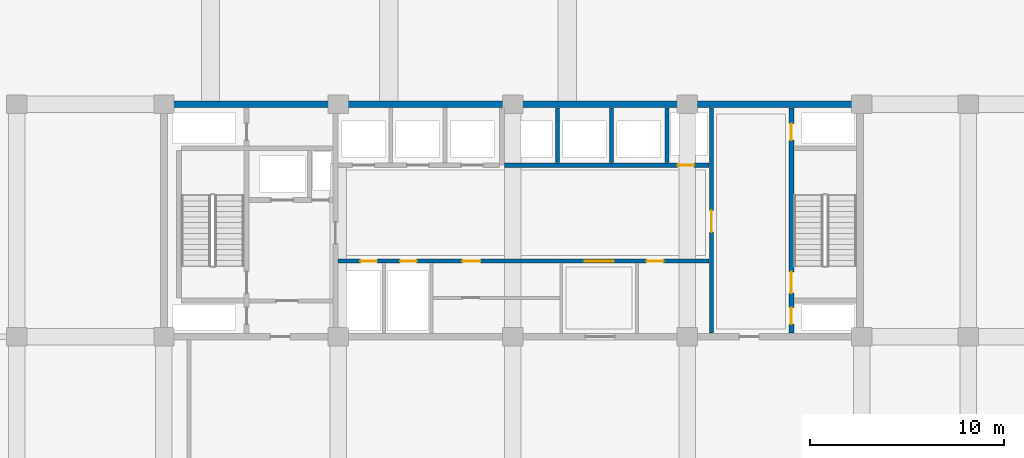
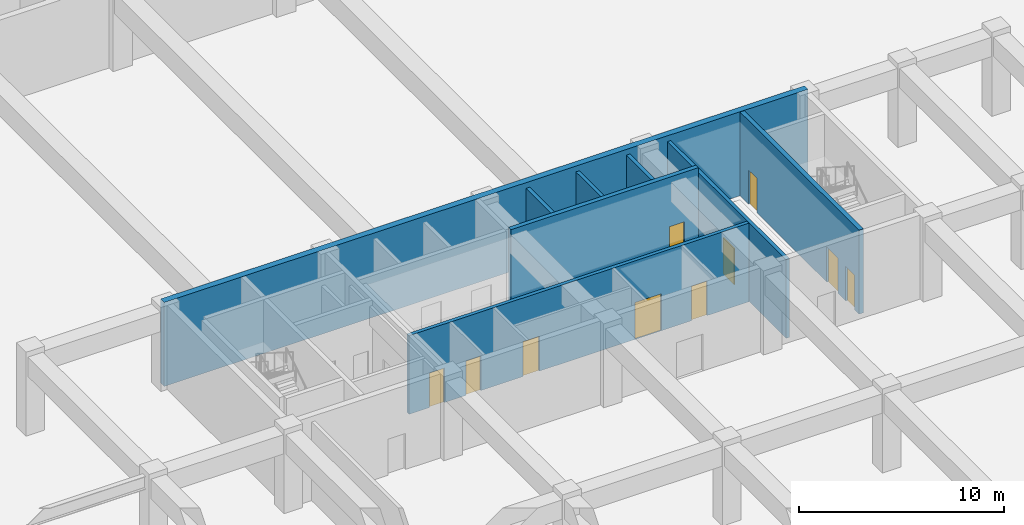
# One storey, part 25 of 38: 10 doors, 8 walls, 10 openings.
"""IFC4 building model written with IfcOpenShell, lengths in metres."""

from ifc_helpers import new_model, si_unit, direction, frame, frame_2d, origin, place, context, subcontext, project, spatial, rectangle, extrude, material, layer, layer_set, type_object, element, fill, save


model = new_model("IFC4")

# Units and contexts
model_context = context("Model", 3, precision=1e-05, world=origin(), true_north=direction((0.0, 1.0)))
body_context = subcontext(model_context, "Body", "Model", "MODEL_VIEW")
ifc_project = project(units=[si_unit("LENGTHUNIT", "METRE"), si_unit("AREAUNIT", "SQUARE_METRE"), si_unit("VOLUMEUNIT", "CUBIC_METRE"), si_unit("PLANEANGLEUNIT", "RADIAN"), si_unit("MASSUNIT", "GRAM", prefix="KILO")], contexts=[model_context])

# Site, building, storey
site_placement = place(None, origin())
site = spatial("IfcSite", under=ifc_project, at=site_placement, CompositionType="ELEMENT")
building_placement = place(site_placement, origin())
building = spatial("IfcBuilding", under=site, at=building_placement, Name="Korimba Cascade Residences", CompositionType="ELEMENT")
storey_placement = place(building_placement, frame((0.0, 0.0, 19.0)))
storey = spatial("IfcBuildingStorey", under=building, at=storey_placement, Name="L04", CompositionType="ELEMENT", Elevation=19.0)

# Walls
ifc_material_1 = material(Name="Concrete C65/80", Category="concrete")
ifc_layer_1 = layer(ifc_material_1, 0.35009765625)
ifc_layer_set_1 = layer_set([ifc_layer_1], Name="Concrete C65/80")
wall_type_1 = type_object("IfcWallType", Name="WAL-CORE-350", PredefinedType="SHEAR", material=ifc_layer_set_1)
wall_1_placement = place(storey_placement, frame((81.925048828125, 30.39990234375, 0.0), z_axis=(0.0, 0.0, 1.0), x_axis=(1.0, 0.0, 0.0)))
element("IfcWall", 1, at=wall_1_placement, inside=storey, type_object=wall_type_1, Name="L04 Core Shear Wall CW-L04-T2-N", PredefinedType="SHEAR", context=body_context, shape_type="SweptSolid", body=[
    extrude(rectangle(XDim=36.264892578125, YDim=0.35009765625, at=frame_2d((18.13232421875, 0.0))), origin(), (0.0, 0.0, 1.0), 5.0),
])
ifc_material_2 = material(Name="Concrete C40/50", Category="concrete")
ifc_layer_2 = layer(ifc_material_2, 0.199951171875)
ifc_layer_set_2 = layer_set([ifc_layer_2], Name="Concrete C40/50")
wall_type_2 = type_object("IfcWallType", Name="WAL-PART-200", PredefinedType="PARTITIONING", material=ifc_layer_set_2)
for number, where, z_axis, x_axis, name in (
    (2, (102.39990234375, 27.3798828125, 0.0), (0.0, 0.0, 1.0), (0.0, 1.0, 0.0), "L04 Partition Wall CW-L04-T2-B2D1"),
    (3, (105.199951171875, 27.3798828125, 0.0), (0.0, 0.0, 1.0), (0.0, 1.0, 0.0), "L04 Partition Wall CW-L04-T2-B2D2"),
    (4, (108.050048828125, 27.3798828125, 0.0), (0.0, 0.0, 1.0), (0.0, 1.0, 0.0), "L04 Partition Wall CW-L04-T2-B2D3"),
):
    element("IfcWall", number, at=place(storey_placement, frame(where, z_axis=z_axis, x_axis=x_axis)), inside=storey, type_object=wall_type_2, Name=name, PredefinedType="PARTITIONING", context=body_context, shape_type="SweptSolid", body=[
        extrude(rectangle(XDim=2.820068359375, YDim=0.199951171875, at=frame_2d((1.41015625, 0.0))), origin(), (0.0, 0.0, 1.0), 4.679931640625),
    ])

# Wall, openings, doors
wall_2_placement = place(storey_placement, frame((91.080078125, 22.300048828125, 0.0), z_axis=(0.0, 0.0, 1.0), x_axis=(1.0, 0.0, 0.0)))
wall_2 = element("IfcWall", 5, at=wall_2_placement, inside=storey, type_object=wall_type_2, Name="L04 Partition Wall CW-L04-T2-SRVROW", PredefinedType="PARTITIONING", context=body_context, shape_type="SweptSolid", body=[
    extrude(rectangle(XDim=19.139892578125, YDim=0.199951171875, at=frame_2d((9.56982421875, 0.0))), origin(), (0.0, 0.0, 1.0), 4.679931640625),
])
opening_1_placement = place(wall_2_placement, frame((1.14990234375, 0.0, 0.0)))
opening_1 = element("IfcOpeningElement", 6, at=opening_1_placement, cuts=wall_2, Name="Opening D-RS1", PredefinedType="OPENING", context=body_context, shape_type="SweptSolid", body=[
    extrude(rectangle(XDim=0.85009765625, YDim=2.050048828125, at=frame_2d((0.425048828125, 1.02490234375))), frame((0.0, 0.10986328125, 0.0), z_axis=(0.0, -1.0, 0.0), x_axis=(1.0, 0.0, 0.0)), (0.0, 0.0, 1.0), 0.219970703125),
])
opening_2_placement = place(wall_2_placement, frame((3.199951171875, 0.0, 0.0)))
opening_2 = element("IfcOpeningElement", 7, at=opening_2_placement, cuts=wall_2, Name="Opening D-RS1", PredefinedType="OPENING", context=body_context, shape_type="SweptSolid", body=[
    extrude(rectangle(XDim=0.85009765625, YDim=2.050048828125, at=frame_2d((0.425048828125, 1.02490234375))), frame((0.0, 0.10986328125, 0.0), z_axis=(0.0, -1.0, 0.0), x_axis=(1.0, 0.0, 0.0)), (0.0, 0.0, 1.0), 0.219970703125),
])
opening_3_placement = place(wall_2_placement, frame((12.719970703125, 0.0, 0.0)))
opening_3 = element("IfcOpeningElement", 8, at=opening_3_placement, cuts=wall_2, Name="Opening D-FD8", PredefinedType="OPENING", context=body_context, shape_type="SweptSolid", body=[
    extrude(rectangle(XDim=1.5, YDim=2.199951171875, at=frame_2d((0.75, 1.10009765625))), frame((0.0, 0.10986328125, 0.0), z_axis=(0.0, -1.0, 0.0), x_axis=(1.0, 0.0, 0.0)), (0.0, 0.0, 1.0), 0.219970703125),
])
opening_4_placement = place(wall_2_placement, frame((6.419921875, 0.0, 0.0)))
opening_4 = element("IfcOpeningElement", 9, at=opening_4_placement, cuts=wall_2, Name="Opening D-IN1", PredefinedType="OPENING", context=body_context, shape_type="SweptSolid", body=[
    extrude(rectangle(XDim=0.919921875, YDim=2.080078125, at=frame_2d((0.4599609375, 1.0400390625))), frame((0.0, 0.10986328125, 0.0), z_axis=(0.0, -1.0, 0.0), x_axis=(1.0, 0.0, 0.0)), (0.0, 0.0, 1.0), 0.219970703125),
])
opening_5_placement = place(wall_2_placement, frame((15.919921875, 0.0, 0.0)))
opening_5 = element("IfcOpeningElement", 10, at=opening_5_placement, cuts=wall_2, Name="Opening D-IN2", PredefinedType="OPENING", context=body_context, shape_type="SweptSolid", body=[
    extrude(rectangle(XDim=0.8798828125, YDim=2.06005859375, at=frame_2d((0.43994140625, 1.030029296875))), frame((0.0, 0.10986328125, 0.0), z_axis=(0.0, -1.0, 0.0), x_axis=(1.0, 0.0, 0.0)), (0.0, 0.0, 1.0), 0.219970703125),
])
ifc_material_3 = material(Name="Fire-Rated Steel Riser Access Door", Category="steel")
door_type_1 = type_object("IfcDoorType", Name="DR-FD60-850", OperationType="NOTDEFINED", PredefinedType="DOOR", material=ifc_material_3)
door_1_placement = place(opening_1_placement, origin())
door_1 = element("IfcDoor", 11, at=door_1_placement, inside=storey, type_object=door_type_1, Name="L04 T2 Electrical Riser Door", OperationType="SINGLE_SWING_LEFT", OverallHeight=2.050048828125, OverallWidth=0.85009765625, PredefinedType="DOOR", context=body_context, shape_type="SweptSolid", body=[
    extrude(rectangle(XDim=0.85009765625, YDim=2.050048828125, at=frame_2d((0.425048828125, 1.02490234375))), frame((0.0, 0.02490234375, 0.0), z_axis=(0.0, -1.0, 0.0), x_axis=(1.0, 0.0, 0.0)), (0.0, 0.0, 1.0), 0.050048828125),
])
fill(opening_1, door_1)
door_2_placement = place(opening_2_placement, origin())
door_2 = element("IfcDoor", 12, at=door_2_placement, inside=storey, type_object=door_type_1, Name="L04 T2 Plumbing Riser Door", OperationType="SINGLE_SWING_RIGHT", OverallHeight=2.050048828125, OverallWidth=0.85009765625, PredefinedType="DOOR", context=body_context, shape_type="SweptSolid", body=[
    extrude(rectangle(XDim=0.85009765625, YDim=2.050048828125, at=frame_2d((0.425048828125, 1.02490234375))), frame((0.0, 0.02490234375, 0.0), z_axis=(0.0, -1.0, 0.0), x_axis=(1.0, 0.0, 0.0)), (0.0, 0.0, 1.0), 0.050048828125),
])
fill(opening_2, door_2)
ifc_material_4 = material(Name="Fire-Rated Glazed Lift Lobby Double Door", Category="glass")
door_type_2 = type_object("IfcDoorType", Name="DR-FD90-1500", OperationType="NOTDEFINED", PredefinedType="DOOR", material=ifc_material_4)
door_3_placement = place(opening_3_placement, origin())
door_3 = element("IfcDoor", 13, at=door_3_placement, inside=storey, type_object=door_type_2, Name="L04 T2 Lift Lobby Foyer Door", OperationType="DOUBLE_DOOR_SINGLE_SWING", OverallHeight=2.199951171875, OverallWidth=1.5, PredefinedType="DOOR", context=body_context, shape_type="SweptSolid", body=[
    extrude(rectangle(XDim=1.5, YDim=2.199951171875, at=frame_2d((0.75, 1.10009765625))), frame((0.0, 0.02490234375, 0.0), z_axis=(0.0, -1.0, 0.0), x_axis=(1.0, 0.0, 0.0)), (0.0, 0.0, 1.0), 0.050048828125),
])
fill(opening_3, door_3)
ifc_material_5 = material(Name="Acoustic Timber Bedroom Door", Category="wood")
door_type_3 = type_object("IfcDoorType", Name="DR-INT-880", OperationType="NOTDEFINED", PredefinedType="DOOR", material=ifc_material_5)
door_4_placement = place(opening_5_placement, origin())
door_4 = element("IfcDoor", 14, at=door_4_placement, inside=storey, type_object=door_type_3, Name="L04 T2 Staff WC Door", OperationType="SINGLE_SWING_RIGHT", OverallHeight=2.06005859375, OverallWidth=0.8798828125, PredefinedType="DOOR", context=body_context, shape_type="SweptSolid", body=[
    extrude(rectangle(XDim=0.8798828125, YDim=2.06005859375, at=frame_2d((0.43994140625, 1.030029296875))), frame((0.0, 0.02490234375, 0.0), z_axis=(0.0, -1.0, 0.0), x_axis=(1.0, 0.0, 0.0)), (0.0, 0.0, 1.0), 0.050048828125),
])
fill(opening_5, door_4)
ifc_material_6 = material(Name="Acoustic Timber Living Door", Category="wood")
door_type_4 = type_object("IfcDoorType", Name="DR-INT-920", OperationType="NOTDEFINED", PredefinedType="DOOR", material=ifc_material_6)
door_5_placement = place(opening_4_placement, origin())
door_5 = element("IfcDoor", 15, at=door_5_placement, inside=storey, type_object=door_type_4, Name="L04 T2 Locker Door", OperationType="SINGLE_SWING_LEFT", OverallHeight=2.080078125, OverallWidth=0.919921875, PredefinedType="DOOR", context=body_context, shape_type="SweptSolid", body=[
    extrude(rectangle(XDim=0.919921875, YDim=2.080078125, at=frame_2d((0.4599609375, 1.0400390625))), frame((0.0, 0.02490234375, 0.0), z_axis=(0.0, -1.0, 0.0), x_axis=(1.0, 0.0, 0.0)), (0.0, 0.0, 1.0), 0.050048828125),
])
fill(opening_4, door_5)

# Wall, opening, door
wall_3_placement = place(storey_placement, frame((110.35009765625, 18.60009765625, 0.0), z_axis=(0.0, 0.0, 1.0), x_axis=(0.0, 1.0, 0.0)))
wall_3 = element("IfcWall", 16, at=wall_3_placement, inside=storey, type_object=wall_type_2, Name="L04 Partition Wall CW-L04-T2-LLEV", PredefinedType="PARTITIONING", context=body_context, shape_type="SweptSolid", body=[
    extrude(rectangle(XDim=11.599853515625, YDim=0.199951171875, at=frame_2d((5.7998046875, 0.0))), origin(), (0.0, 0.0, 1.0), 4.679931640625),
])
opening_6_placement = place(wall_3_placement, frame((5.199951171875, 0.0, 0.0)))
opening_6 = element("IfcOpeningElement", 17, at=opening_6_placement, cuts=wall_3, Name="Opening D-FD6", PredefinedType="OPENING", context=body_context, shape_type="SweptSolid", body=[
    extrude(rectangle(XDim=1.10009765625, YDim=2.14990234375, at=frame_2d((0.550048828125, 1.074951171875))), frame((0.0, 0.10986328125, 0.0), z_axis=(0.0, -1.0, 0.0), x_axis=(1.0, 0.0, 0.0)), (0.0, 0.0, 1.0), 0.219970703125),
])
ifc_material_7 = material(Name="Fire-Rated Timber Stair Lobby Door", Category="wood")
door_type_5 = type_object("IfcDoorType", Name="DR-FD90-1100", OperationType="NOTDEFINED", PredefinedType="DOOR", material=ifc_material_7)
door_6_placement = place(opening_6_placement, origin())
door_6 = element("IfcDoor", 18, at=door_6_placement, inside=storey, type_object=door_type_5, Name="L04 T2 Lift Lobby to East Stair Lobby Door", OperationType="SINGLE_SWING_LEFT", OverallHeight=2.14990234375, OverallWidth=1.10009765625, PredefinedType="DOOR", context=body_context, shape_type="SweptSolid", body=[
    extrude(rectangle(XDim=1.10009765625, YDim=2.14990234375, at=frame_2d((0.550048828125, 1.074951171875))), frame((0.0, 0.02490234375, 0.0), z_axis=(0.0, -1.0, 0.0), x_axis=(1.0, 0.0, 0.0)), (0.0, 0.0, 1.0), 0.050048828125),
])
fill(opening_6, door_6)

ifc_material_8 = material(Name="Concrete C50/60", Category="concrete")
ifc_layer_3 = layer(ifc_material_8, 0.25)
ifc_layer_set_3 = layer_set([ifc_layer_3], Name="Concrete C50/60")
wall_type_3 = type_object("IfcWallType", Name="WAL-SHAFT-250", PredefinedType="SHEAR", material=ifc_layer_set_3)
wall_4_placement = place(storey_placement, frame((99.679931640625, 27.25, 0.0), z_axis=(0.0, 0.0, 1.0), x_axis=(1.0, 0.0, 0.0)))
wall_4 = element("IfcWall", 19, at=wall_4_placement, inside=storey, type_object=wall_type_3, Name="L04 Core Shear Wall CW-L04-T2-B2S", PredefinedType="SHEAR", context=body_context, shape_type="SweptSolid", body=[
    extrude(rectangle(XDim=10.5400390625, YDim=0.25, at=frame_2d((5.27001953125, 0.0))), origin(), (0.0, 0.0, 1.0), 5.0),
])
opening_7_placement = place(wall_4_placement, frame((8.919921875, 0.0, 0.0)))
opening_7 = element("IfcOpeningElement", 20, at=opening_7_placement, cuts=wall_4, Name="Opening D-RS1", PredefinedType="OPENING", context=body_context, shape_type="SweptSolid", body=[
    extrude(rectangle(XDim=0.85009765625, YDim=2.050048828125, at=frame_2d((0.425048828125, 1.02490234375))), frame((0.0, 0.135009765625, 0.0), z_axis=(0.0, -1.0, 0.0), x_axis=(1.0, 0.0, 0.0)), (0.0, 0.0, 1.0), 0.27001953125),
])
door_7_placement = place(opening_7_placement, origin())
door_7 = element("IfcDoor", 21, at=door_7_placement, inside=storey, type_object=door_type_1, Name="L04 T2 Duct Door", OperationType="SINGLE_SWING_LEFT", OverallHeight=2.050048828125, OverallWidth=0.85009765625, PredefinedType="DOOR", context=body_context, shape_type="SweptSolid", body=[
    extrude(rectangle(XDim=0.85009765625, YDim=2.050048828125, at=frame_2d((0.425048828125, 1.02490234375))), frame((0.0, 0.02490234375, 0.0), z_axis=(0.0, -1.0, 0.0), x_axis=(1.0, 0.0, 0.0)), (0.0, 0.0, 1.0), 0.050048828125),
])
fill(opening_7, door_7)

# Wall, openings, doors
wall_5_placement = place(storey_placement, frame((114.47509765625, 18.60009765625, 0.0), z_axis=(0.0, 0.0, 1.0), x_axis=(0.0, 1.0, 0.0)))
wall_5 = element("IfcWall", 22, at=wall_5_placement, inside=storey, type_object=wall_type_3, Name="L04 Core Shear Wall CW-L04-T2-STE2W", PredefinedType="SHEAR", context=body_context, shape_type="SweptSolid", body=[
    extrude(rectangle(XDim=11.599853515625, YDim=0.25, at=frame_2d((5.7998046875, 0.0))), origin(), (0.0, 0.0, 1.0), 5.0),
])
opening_8_placement = place(wall_5_placement, frame((0.449951171875, 0.0, 0.0)))
opening_8 = element("IfcOpeningElement", 23, at=opening_8_placement, cuts=wall_5, Name="Opening D-RS1", PredefinedType="OPENING", context=body_context, shape_type="SweptSolid", body=[
    extrude(rectangle(XDim=0.85009765625, YDim=2.050048828125, at=frame_2d((0.425048828125, 1.02490234375))), frame((0.0, 0.135009765625, 0.0), z_axis=(0.0, -1.0, 0.0), x_axis=(1.0, 0.0, 0.0)), (0.0, 0.0, 1.0), 0.27001953125),
])
opening_9_placement = place(wall_5_placement, frame((2.050048828125, 0.0, 0.0)))
opening_9 = element("IfcOpeningElement", 24, at=opening_9_placement, cuts=wall_5, Name="Opening D-FD1", PredefinedType="OPENING", context=body_context, shape_type="SweptSolid", body=[
    extrude(rectangle(XDim=1.10009765625, YDim=2.10009765625, at=frame_2d((0.550048828125, 1.050048828125))), frame((0.0, 0.135009765625, 0.0), z_axis=(0.0, -1.0, 0.0), x_axis=(1.0, 0.0, 0.0)), (0.0, 0.0, 1.0), 0.27001953125),
])
opening_10_placement = place(wall_5_placement, frame((9.949951171875, 0.0, 0.0)))
opening_10 = element("IfcOpeningElement", 25, at=opening_10_placement, cuts=wall_5, Name="Opening D-RS1", PredefinedType="OPENING", context=body_context, shape_type="SweptSolid", body=[
    extrude(rectangle(XDim=0.85009765625, YDim=2.050048828125, at=frame_2d((0.425048828125, 1.02490234375))), frame((0.0, 0.135009765625, 0.0), z_axis=(0.0, -1.0, 0.0), x_axis=(1.0, 0.0, 0.0)), (0.0, 0.0, 1.0), 0.27001953125),
])
ifc_material_9 = material(Name="Fire-Rated Steel Core Door", Category="steel")
door_type_6 = type_object("IfcDoorType", Name="DR-FD120-1100", OperationType="NOTDEFINED", PredefinedType="DOOR", material=ifc_material_9)
door_8_placement = place(opening_9_placement, origin())
door_8 = element("IfcDoor", 26, at=door_8_placement, inside=storey, type_object=door_type_6, Name="L04 Fire Stair ST-E2 Door", OperationType="SINGLE_SWING_LEFT", OverallHeight=2.10009765625, OverallWidth=1.10009765625, PredefinedType="DOOR", context=body_context, shape_type="SweptSolid", body=[
    extrude(rectangle(XDim=1.10009765625, YDim=2.10009765625, at=frame_2d((0.550048828125, 1.050048828125))), frame((0.0, 0.02490234375, 0.0), z_axis=(0.0, -1.0, 0.0), x_axis=(1.0, 0.0, 0.0)), (0.0, 0.0, 1.0), 0.050048828125),
])
fill(opening_9, door_8)
door_9_placement = place(opening_8_placement, origin())
door_9 = element("IfcDoor", 27, at=door_9_placement, inside=storey, type_object=door_type_1, Name="L04 T2 East Hydrant Door", OperationType="SINGLE_SWING_RIGHT", OverallHeight=2.050048828125, OverallWidth=0.85009765625, PredefinedType="DOOR", context=body_context, shape_type="SweptSolid", body=[
    extrude(rectangle(XDim=0.85009765625, YDim=2.050048828125, at=frame_2d((0.425048828125, 1.02490234375))), frame((0.0, 0.02490234375, 0.0), z_axis=(0.0, -1.0, 0.0), x_axis=(1.0, 0.0, 0.0)), (0.0, 0.0, 1.0), 0.050048828125),
])
fill(opening_8, door_9)
door_10_placement = place(opening_10_placement, origin())
door_10 = element("IfcDoor", 28, at=door_10_placement, inside=storey, type_object=door_type_1, Name="L04 T2 East Riser Door", OperationType="SINGLE_SWING_RIGHT", OverallHeight=2.050048828125, OverallWidth=0.85009765625, PredefinedType="DOOR", context=body_context, shape_type="SweptSolid", body=[
    extrude(rectangle(XDim=0.85009765625, YDim=2.050048828125, at=frame_2d((0.425048828125, 1.02490234375))), frame((0.0, 0.02490234375, 0.0), z_axis=(0.0, -1.0, 0.0), x_axis=(1.0, 0.0, 0.0)), (0.0, 0.0, 1.0), 0.050048828125),
])
fill(opening_10, door_10)

save(model, "model.ifc")
